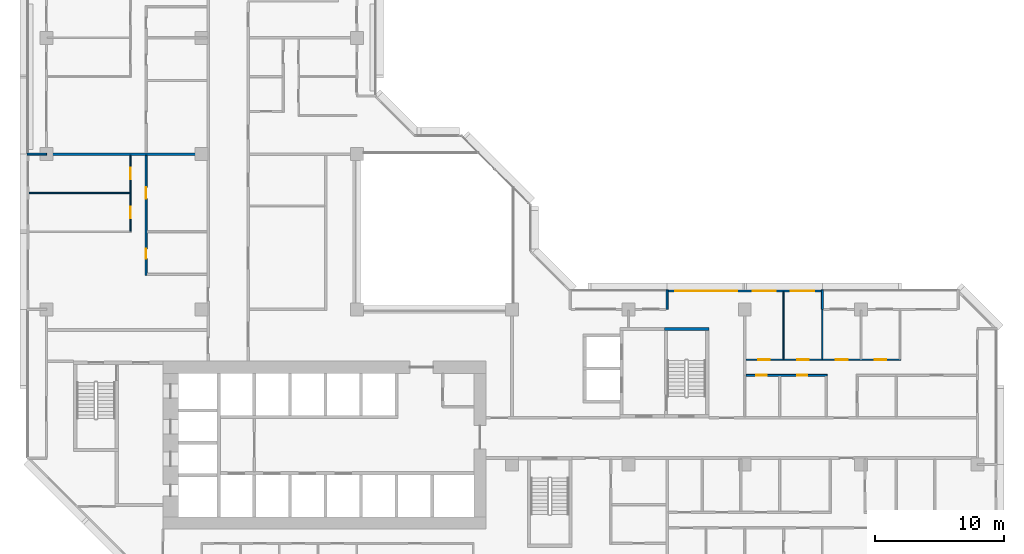
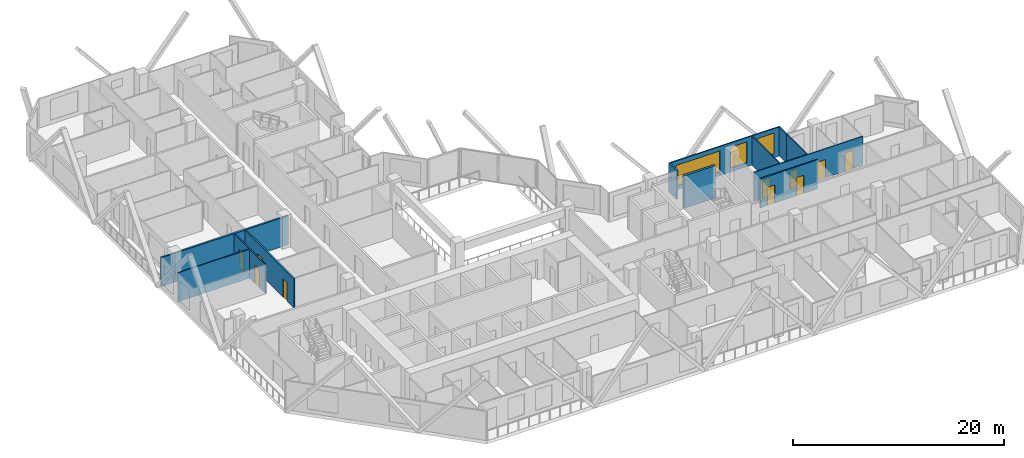
# One storey, part 8 of 15: 13 walls, 10 doors, 3 windows, 13 openings.
"""IFC4 building model written with IfcOpenShell, lengths in metres."""

from ifc_helpers import new_model, si_unit, direction, frame, frame_2d, origin, place, context, subcontext, project, spatial, rectangle, extrude, material, layer, layer_set, type_object, element, fill, save


model = new_model("IFC4")

# Units and contexts
model_context = context("Model", 3, precision=1e-05, world=origin(), true_north=direction((0.0, 1.0)))
body_context = subcontext(model_context, "Body", "Model", "MODEL_VIEW")
ifc_project = project(units=[si_unit("LENGTHUNIT", "METRE"), si_unit("AREAUNIT", "SQUARE_METRE"), si_unit("VOLUMEUNIT", "CUBIC_METRE"), si_unit("PLANEANGLEUNIT", "RADIAN"), si_unit("MASSUNIT", "GRAM", prefix="KILO")], contexts=[model_context])

# Site, building, storey
site_placement = place(None, origin())
site = spatial("IfcSite", under=ifc_project, at=site_placement, CompositionType="ELEMENT")
building_placement = place(site_placement, origin())
building = spatial("IfcBuilding", under=site, at=building_placement, Name="Chenar Terraces", CompositionType="ELEMENT")
storey_placement = place(building_placement, frame((0.0, 0.0, 114.39990234375)))
storey = spatial("IfcBuildingStorey", under=building, at=storey_placement, Name="L26", CompositionType="ELEMENT", Elevation=114.39990234375)

# Wall
ifc_material_1 = material(Name="Concrete C70/85", Category="concrete")
ifc_layer_1 = layer(ifc_material_1, 0.25)
ifc_layer_set_1 = layer_set([ifc_layer_1], Name="Concrete C70/85")
wall_type_1 = type_object("IfcWallType", Name="Core wall 250 Concrete C70/85", PredefinedType="SHEAR", material=ifc_layer_set_1)
wall_1_placement = place(storey_placement, frame((47.77490234375, 22.47509765625, 0.0), z_axis=(0.0, 0.0, 1.0), x_axis=(1.0, 0.0, 0.0)))
element("IfcWall", 1, at=wall_1_placement, inside=storey, type_object=wall_type_1, Name="Core wall ST3_N L26", PredefinedType="SHEAR", context=body_context, shape_type="SweptSolid", body=[
    extrude(rectangle(XDim=3.4501953125, YDim=0.25, at=frame_2d((1.72509765625, 0.0))), origin(), (0.0, 0.0, 1.0), 3.75),
])

# Wall, openings, windows
ifc_material_2 = material(Name="Aluminium framed glazing", Category="aluminium")
ifc_layer_2 = layer(ifc_material_2, 0.14990234375)
ifc_layer_set_2 = layer_set([ifc_layer_2], Name="Aluminium framed glazing")
wall_type_2 = type_object("IfcWallType", Name="Glazed flush facade wall 150", PredefinedType="SOLIDWALL", material=ifc_layer_set_2)
wall_2_placement = place(storey_placement, frame((59.925048828125, 25.425048828125, 0.0), z_axis=(0.0, 0.0, 1.0), x_axis=(-1.0, 0.0, 0.0)))
wall_2 = element("IfcWall", 2, at=wall_2_placement, inside=storey, type_object=wall_type_2, Name="Glazed flush facade wall", PredefinedType="SOLIDWALL", context=body_context, shape_type="SweptSolid", body=[
    extrude(rectangle(XDim=11.85009765625, YDim=0.14990234375, at=frame_2d((5.925048828125, 0.0))), origin(), (0.0, 0.0, 1.0), 3.35009765625),
])
opening_1_placement = place(wall_2_placement, frame((0.5625, 0.0, 0.449951171875)))
opening_1 = element("IfcOpeningElement", 3, at=opening_1_placement, cuts=wall_2, Name="Opening W180x240", PredefinedType="OPENING", context=body_context, shape_type="SweptSolid", body=[
    extrude(rectangle(XDim=1.800048828125, YDim=2.39990234375, at=frame_2d((0.89990234375, 1.199951171875))), frame((0.0, 0.0849609375, 0.0), z_axis=(0.0, -1.0, 0.0), x_axis=(1.0, 0.0, 0.0)), (0.0, 0.0, 1.0), 0.169921875),
])
opening_2_placement = place(wall_2_placement, frame((3.52490234375, 0.0, 0.449951171875)))
opening_2 = element("IfcOpeningElement", 4, at=opening_2_placement, cuts=wall_2, Name="Opening W180x240", PredefinedType="OPENING", context=body_context, shape_type="SweptSolid", body=[
    extrude(rectangle(XDim=1.800048828125, YDim=2.39990234375, at=frame_2d((0.89990234375, 1.199951171875))), frame((0.0, 0.0849609375, 0.0), z_axis=(0.0, -1.0, 0.0), x_axis=(1.0, 0.0, 0.0)), (0.0, 0.0, 1.0), 0.169921875),
])
opening_3_placement = place(wall_2_placement, frame((6.487548828125, 0.0, 0.449951171875)))
opening_3 = element("IfcOpeningElement", 5, at=opening_3_placement, cuts=wall_2, Name="Opening W480x240", PredefinedType="OPENING", context=body_context, shape_type="SweptSolid", body=[
    extrude(rectangle(XDim=4.800048828125, YDim=2.39990234375, at=frame_2d((2.39990234375, 1.199951171875))), frame((0.0, 0.0849609375, 0.0), z_axis=(0.0, -1.0, 0.0), x_axis=(1.0, 0.0, 0.0)), (0.0, 0.0, 1.0), 0.169921875),
])
ifc_material_3 = material(Name="Low emissivity double glazing, aluminium frame", Category="aluminium")
window_type_1 = type_object("IfcWindowType", Name="Fixed light 1800 x 2400", PartitioningType="SINGLE_PANEL", PredefinedType="WINDOW", material=ifc_material_3)
window_1_placement = place(opening_1_placement, origin())
window_1 = element("IfcWindow", 6, at=window_1_placement, inside=storey, type_object=window_type_1, Name="Window", OverallHeight=2.39990234375, OverallWidth=1.800048828125, PartitioningType="SINGLE_PANEL", PredefinedType="WINDOW", context=body_context, shape_type="SweptSolid", body=[
    extrude(rectangle(XDim=1.800048828125, YDim=2.39990234375, at=frame_2d((0.89990234375, 1.199951171875))), frame((0.0, 0.030029296875, 0.0), z_axis=(0.0, -1.0, 0.0), x_axis=(1.0, 0.0, 0.0)), (0.0, 0.0, 1.0), 0.06005859375),
])
fill(opening_1, window_1)
window_2_placement = place(opening_2_placement, origin())
window_2 = element("IfcWindow", 7, at=window_2_placement, inside=storey, type_object=window_type_1, Name="Window", OverallHeight=2.39990234375, OverallWidth=1.800048828125, PartitioningType="SINGLE_PANEL", PredefinedType="WINDOW", context=body_context, shape_type="SweptSolid", body=[
    extrude(rectangle(XDim=1.800048828125, YDim=2.39990234375, at=frame_2d((0.89990234375, 1.199951171875))), frame((0.0, 0.030029296875, 0.0), z_axis=(0.0, -1.0, 0.0), x_axis=(1.0, 0.0, 0.0)), (0.0, 0.0, 1.0), 0.06005859375),
])
fill(opening_2, window_2)
ifc_material_4 = material(Name="Low emissivity double glazing, aluminium frame", Category="aluminium")
window_type_2 = type_object("IfcWindowType", Name="Fixed light 4800 x 2400", PartitioningType="SINGLE_PANEL", PredefinedType="WINDOW", material=ifc_material_4)
window_3_placement = place(opening_3_placement, origin())
window_3 = element("IfcWindow", 8, at=window_3_placement, inside=storey, type_object=window_type_2, Name="Window", OverallHeight=2.39990234375, OverallWidth=4.800048828125, PartitioningType="SINGLE_PANEL", PredefinedType="WINDOW", context=body_context, shape_type="SweptSolid", body=[
    extrude(rectangle(XDim=4.800048828125, YDim=2.39990234375, at=frame_2d((2.39990234375, 1.199951171875))), frame((0.0, 0.030029296875, 0.0), z_axis=(0.0, -1.0, 0.0), x_axis=(1.0, 0.0, 0.0)), (0.0, 0.0, 1.0), 0.06005859375),
])
fill(opening_3, window_3)

# Wall
ifc_material_5 = material(Name="Gypsum board on steel studs", Category="steel")
ifc_layer_3 = layer(ifc_material_5, 0.10009765625)
ifc_layer_set_3 = layer_set([ifc_layer_3], Name="Gypsum board on steel studs")
wall_type_3 = type_object("IfcWallType", Name="Gypsum partition 100", PredefinedType="PARTITIONING", material=ifc_layer_set_3)
wall_3_placement = place(storey_placement, frame((-1.35107421875, 33.0, 0.0), z_axis=(0.0, 0.0, 1.0), x_axis=(1.0, 0.0, 0.0)))
element("IfcWall", 9, at=wall_3_placement, inside=storey, type_object=wall_type_3, Name="Partition L26-001", PredefinedType="PARTITIONING", context=body_context, shape_type="SweptSolid", body=[
    extrude(rectangle(XDim=7.801025390625, YDim=0.10009765625, at=frame_2d((3.900390625, 0.0))), origin(), (0.0, 0.0, 1.0), 3.35009765625),
])

# Wall, openings, doors
wall_4_placement = place(storey_placement, frame((6.5, 30.050048828125, 0.0), z_axis=(0.0, 0.0, 1.0), x_axis=(0.0, 1.0, 0.0)))
wall_4 = element("IfcWall", 10, at=wall_4_placement, inside=storey, type_object=wall_type_3, Name="Partition L26-014", PredefinedType="PARTITIONING", context=body_context, shape_type="SweptSolid", body=[
    extrude(rectangle(XDim=5.849853515625, YDim=0.10009765625, at=frame_2d((2.9248046875, 0.0))), origin(), (0.0, 0.0, 1.0), 3.35009765625),
])
opening_4_placement = place(wall_4_placement, frame((1.0, 0.0, 0.0)))
opening_4 = element("IfcOpeningElement", 11, at=opening_4_placement, cuts=wall_4, Name="Opening DL26-71", PredefinedType="OPENING", context=body_context, shape_type="SweptSolid", body=[
    extrude(rectangle(XDim=0.89990234375, YDim=2.10009765625, at=frame_2d((0.449951171875, 1.050048828125))), frame((0.0, 0.06005859375, 0.0), z_axis=(0.0, -1.0, 0.0), x_axis=(1.0, 0.0, 0.0)), (0.0, 0.0, 1.0), 0.1201171875),
])
opening_5_placement = place(wall_4_placement, frame((4.0, 0.0, 0.0)))
opening_5 = element("IfcOpeningElement", 12, at=opening_5_placement, cuts=wall_4, Name="Opening DL26-72", PredefinedType="OPENING", context=body_context, shape_type="SweptSolid", body=[
    extrude(rectangle(XDim=0.89990234375, YDim=2.10009765625, at=frame_2d((0.449951171875, 1.050048828125))), frame((0.0, 0.06005859375, 0.0), z_axis=(0.0, -1.0, 0.0), x_axis=(1.0, 0.0, 0.0)), (0.0, 0.0, 1.0), 0.1201171875),
])
ifc_material_6 = material(Name="Veneered timber door leaf", Category="wood")
door_type_1 = type_object("IfcDoorType", Name="Door 900 x 2100", OperationType="SINGLE_SWING_LEFT", PredefinedType="DOOR", material=ifc_material_6)
door_1_placement = place(opening_4_placement, origin())
door_1 = element("IfcDoor", 13, at=door_1_placement, inside=storey, type_object=door_type_1, Name="Door DL26-71", OperationType="SINGLE_SWING_RIGHT", OverallHeight=2.10009765625, OverallWidth=0.89990234375, PredefinedType="DOOR", context=body_context, shape_type="SweptSolid", body=[
    extrude(rectangle(XDim=0.89990234375, YDim=2.10009765625, at=frame_2d((0.449951171875, 1.050048828125))), frame((0.0, 0.02490234375, 0.0), z_axis=(0.0, -1.0, 0.0), x_axis=(1.0, 0.0, 0.0)), (0.0, 0.0, 1.0), 0.050048828125),
])
fill(opening_4, door_1)
door_2_placement = place(opening_5_placement, origin())
door_2 = element("IfcDoor", 14, at=door_2_placement, inside=storey, type_object=door_type_1, Name="Door DL26-72", OperationType="SINGLE_SWING_RIGHT", OverallHeight=2.10009765625, OverallWidth=0.89990234375, PredefinedType="DOOR", context=body_context, shape_type="SweptSolid", body=[
    extrude(rectangle(XDim=0.89990234375, YDim=2.10009765625, at=frame_2d((0.449951171875, 1.050048828125))), frame((0.0, 0.02490234375, 0.0), z_axis=(0.0, -1.0, 0.0), x_axis=(1.0, 0.0, 0.0)), (0.0, 0.0, 1.0), 0.050048828125),
])
fill(opening_5, door_2)

wall_5_placement = place(storey_placement, frame((54.10009765625, 20.10009765625, 0.0), z_axis=(0.0, 0.0, 1.0), x_axis=(1.0, 0.0, 0.0)))
wall_5 = element("IfcWall", 15, at=wall_5_placement, inside=storey, type_object=wall_type_3, Name="Partition L26-082", PredefinedType="PARTITIONING", context=body_context, shape_type="SweptSolid", body=[
    extrude(rectangle(XDim=11.949951171875, YDim=0.10009765625, at=frame_2d((5.97509765625, 0.0))), origin(), (0.0, 0.0, 1.0), 3.35009765625),
])
opening_6_placement = place(wall_5_placement, frame((0.949951171875, 0.0, 0.0)))
opening_6 = element("IfcOpeningElement", 16, at=opening_6_placement, cuts=wall_5, Name="Opening DL26-5", PredefinedType="OPENING", context=body_context, shape_type="SweptSolid", body=[
    extrude(rectangle(XDim=0.89990234375, YDim=2.10009765625, at=frame_2d((0.449951171875, 1.050048828125))), frame((0.0, 0.06005859375, 0.0), z_axis=(0.0, -1.0, 0.0), x_axis=(1.0, 0.0, 0.0)), (0.0, 0.0, 1.0), 0.1201171875),
])
opening_7_placement = place(wall_5_placement, frame((3.949951171875, 0.0, 0.0)))
opening_7 = element("IfcOpeningElement", 17, at=opening_7_placement, cuts=wall_5, Name="Opening DL26-6", PredefinedType="OPENING", context=body_context, shape_type="SweptSolid", body=[
    extrude(rectangle(XDim=0.89990234375, YDim=2.10009765625, at=frame_2d((0.449951171875, 1.050048828125))), frame((0.0, 0.06005859375, 0.0), z_axis=(0.0, -1.0, 0.0), x_axis=(1.0, 0.0, 0.0)), (0.0, 0.0, 1.0), 0.1201171875),
])
opening_8_placement = place(wall_5_placement, frame((6.949951171875, 0.0, 0.0)))
opening_8 = element("IfcOpeningElement", 18, at=opening_8_placement, cuts=wall_5, Name="Opening DL26-7", PredefinedType="OPENING", context=body_context, shape_type="SweptSolid", body=[
    extrude(rectangle(XDim=0.89990234375, YDim=2.10009765625, at=frame_2d((0.449951171875, 1.050048828125))), frame((0.0, 0.06005859375, 0.0), z_axis=(0.0, -1.0, 0.0), x_axis=(1.0, 0.0, 0.0)), (0.0, 0.0, 1.0), 0.1201171875),
])
opening_9_placement = place(wall_5_placement, frame((9.949951171875, 0.0, 0.0)))
opening_9 = element("IfcOpeningElement", 19, at=opening_9_placement, cuts=wall_5, Name="Opening DL26-11", PredefinedType="OPENING", context=body_context, shape_type="SweptSolid", body=[
    extrude(rectangle(XDim=0.89990234375, YDim=2.10009765625, at=frame_2d((0.449951171875, 1.050048828125))), frame((0.0, 0.06005859375, 0.0), z_axis=(0.0, -1.0, 0.0), x_axis=(1.0, 0.0, 0.0)), (0.0, 0.0, 1.0), 0.1201171875),
])
door_3_placement = place(opening_6_placement, origin())
door_3 = element("IfcDoor", 20, at=door_3_placement, inside=storey, type_object=door_type_1, Name="Door DL26-5", OperationType="SINGLE_SWING_RIGHT", OverallHeight=2.10009765625, OverallWidth=0.89990234375, PredefinedType="DOOR", context=body_context, shape_type="SweptSolid", body=[
    extrude(rectangle(XDim=0.89990234375, YDim=2.10009765625, at=frame_2d((0.449951171875, 1.050048828125))), frame((0.0, 0.02490234375, 0.0), z_axis=(0.0, -1.0, 0.0), x_axis=(1.0, 0.0, 0.0)), (0.0, 0.0, 1.0), 0.050048828125),
])
fill(opening_6, door_3)
door_4_placement = place(opening_7_placement, origin())
door_4 = element("IfcDoor", 21, at=door_4_placement, inside=storey, type_object=door_type_1, Name="Door DL26-6", OperationType="SINGLE_SWING_RIGHT", OverallHeight=2.10009765625, OverallWidth=0.89990234375, PredefinedType="DOOR", context=body_context, shape_type="SweptSolid", body=[
    extrude(rectangle(XDim=0.89990234375, YDim=2.10009765625, at=frame_2d((0.449951171875, 1.050048828125))), frame((0.0, 0.02490234375, 0.0), z_axis=(0.0, -1.0, 0.0), x_axis=(1.0, 0.0, 0.0)), (0.0, 0.0, 1.0), 0.050048828125),
])
fill(opening_7, door_4)
door_5_placement = place(opening_8_placement, origin())
door_5 = element("IfcDoor", 22, at=door_5_placement, inside=storey, type_object=door_type_1, Name="Door DL26-7", OperationType="SINGLE_SWING_RIGHT", OverallHeight=2.10009765625, OverallWidth=0.89990234375, PredefinedType="DOOR", context=body_context, shape_type="SweptSolid", body=[
    extrude(rectangle(XDim=0.89990234375, YDim=2.10009765625, at=frame_2d((0.449951171875, 1.050048828125))), frame((0.0, 0.02490234375, 0.0), z_axis=(0.0, -1.0, 0.0), x_axis=(1.0, 0.0, 0.0)), (0.0, 0.0, 1.0), 0.050048828125),
])
fill(opening_8, door_5)
door_6_placement = place(opening_9_placement, origin())
door_6 = element("IfcDoor", 23, at=door_6_placement, inside=storey, type_object=door_type_1, Name="Door DL26-11", OperationType="SINGLE_SWING_RIGHT", OverallHeight=2.10009765625, OverallWidth=0.89990234375, PredefinedType="DOOR", context=body_context, shape_type="SweptSolid", body=[
    extrude(rectangle(XDim=0.89990234375, YDim=2.10009765625, at=frame_2d((0.449951171875, 1.050048828125))), frame((0.0, 0.02490234375, 0.0), z_axis=(0.0, -1.0, 0.0), x_axis=(1.0, 0.0, 0.0)), (0.0, 0.0, 1.0), 0.050048828125),
])
fill(opening_9, door_6)

# Walls
wall_6_placement = place(storey_placement, frame((57.0, 20.14990234375, 0.0), z_axis=(0.0, 0.0, 1.0), x_axis=(0.0, 1.0, 0.0)))
element("IfcWall", 24, at=wall_6_placement, inside=storey, type_object=wall_type_3, Name="Partition L26-086", PredefinedType="PARTITIONING", context=body_context, shape_type="SweptSolid", body=[
    extrude(rectangle(XDim=5.201171875, YDim=0.10009765625, at=frame_2d((2.6005859375, 0.0))), origin(), (0.0, 0.0, 1.0), 3.35009765625),
])
wall_7_placement = place(storey_placement, frame((60.0, 20.14990234375, 0.0), z_axis=(0.0, 0.0, 1.0), x_axis=(0.0, 1.0, 0.0)))
element("IfcWall", 25, at=wall_7_placement, inside=storey, type_object=wall_type_3, Name="Partition L26-088", PredefinedType="PARTITIONING", context=body_context, shape_type="SweptSolid", body=[
    extrude(rectangle(XDim=3.85009765625, YDim=0.10009765625, at=frame_2d((1.925048828125, 0.0))), origin(), (0.0, 0.0, 1.0), 3.35009765625),
])
ifc_material_7 = material(Name="Terracotta cladding on insulated backing", Category="masonry")
ifc_layer_4 = layer(ifc_material_7, 0.14990234375)
ifc_layer_set_4 = layer_set([ifc_layer_4], Name="Terracotta cladding on insulated backing")
wall_type_4 = type_object("IfcWallType", Name="Loggia return wall 150", PredefinedType="SOLIDWALL", material=ifc_layer_set_4)
for number, where, z_axis, x_axis, name in (
    (26, (60.0, 25.5, 0.0), (0.0, 0.0, 1.0), (0.0, -1.0, 0.0), "Loggia return wall"),
    (27, (48.0, 25.5, 0.0), (0.0, 0.0, 1.0), (0.0, -1.0, 0.0), "Loggia return wall"),
    (28, (-1.5, 36.0, 0.0), (0.0, 0.0, 1.0), (1.0, 0.0, 0.0), "Loggia return wall"),
):
    element("IfcWall", number, at=place(storey_placement, frame(where, z_axis=z_axis, x_axis=x_axis)), inside=storey, type_object=wall_type_4, Name=name, PredefinedType="SOLIDWALL", context=body_context, shape_type="SweptSolid", body=[
        extrude(rectangle(XDim=1.5, YDim=0.14990234375, at=frame_2d((0.75, 0.0))), origin(), (0.0, 0.0, 1.0), 3.35009765625),
    ])
ifc_material_8 = material(Name="Twin gypsum board on steel studs with mineral wool", Category="steel")
ifc_layer_5 = layer(ifc_material_8, 0.199951171875)
ifc_layer_set_5 = layer_set([ifc_layer_5], Name="Twin gypsum board on steel studs with mineral wool")
wall_type_5 = type_object("IfcWallType", Name="Unit demising wall 200", PredefinedType="PARTITIONING", material=ifc_layer_set_5)
wall_8_placement = place(storey_placement, frame((0.0, 36.0, 0.0), z_axis=(0.0, 0.0, 1.0), x_axis=(1.0, 0.0, 0.0)))
element("IfcWall", 29, at=wall_8_placement, inside=storey, type_object=wall_type_5, Name="Partition L26-003", PredefinedType="PARTITIONING", context=body_context, shape_type="SweptSolid", body=[
    extrude(rectangle(XDim=12.39990234375, YDim=0.199951171875, at=frame_2d((6.199951171875, 0.0))), origin(), (0.0, 0.0, 1.0), 3.35009765625),
])

# Wall, openings, doors
ifc_material_9 = material(Name="Moisture-resistant gypsum board on steel studs", Category="steel")
ifc_layer_6 = layer(ifc_material_9, 0.14990234375)
ifc_layer_set_6 = layer_set([ifc_layer_6], Name="Moisture-resistant gypsum board on steel studs")
wall_type_6 = type_object("IfcWallType", Name="Wet-room partition 150", PredefinedType="PARTITIONING", material=ifc_layer_set_6)
wall_9_placement = place(storey_placement, frame((7.699951171875, 26.625, 0.0), z_axis=(0.0, 0.0, 1.0), x_axis=(0.0, 1.0, 0.0)))
wall_9 = element("IfcWall", 30, at=wall_9_placement, inside=storey, type_object=wall_type_6, Name="Partition L26-017", PredefinedType="PARTITIONING", context=body_context, shape_type="SweptSolid", body=[
    extrude(rectangle(XDim=9.27490234375, YDim=0.14990234375, at=frame_2d((4.637451171875, 0.0))), origin(), (0.0, 0.0, 1.0), 3.35009765625),
])
opening_10_placement = place(wall_9_placement, frame((1.27490234375, 0.0, 0.0)))
opening_10 = element("IfcOpeningElement", 31, at=opening_10_placement, cuts=wall_9, Name="Opening DL26-70", PredefinedType="OPENING", context=body_context, shape_type="SweptSolid", body=[
    extrude(rectangle(XDim=0.800048828125, YDim=2.10009765625, at=frame_2d((0.39990234375, 1.050048828125))), frame((0.0, 0.0849609375, 0.0), z_axis=(0.0, -1.0, 0.0), x_axis=(1.0, 0.0, 0.0)), (0.0, 0.0, 1.0), 0.169921875),
])
opening_11_placement = place(wall_9_placement, frame((5.925048828125, 0.0, 0.0)))
opening_11 = element("IfcOpeningElement", 32, at=opening_11_placement, cuts=wall_9, Name="Opening DL26-73", PredefinedType="OPENING", context=body_context, shape_type="SweptSolid", body=[
    extrude(rectangle(XDim=0.89990234375, YDim=2.10009765625, at=frame_2d((0.449951171875, 1.050048828125))), frame((0.0, 0.0849609375, 0.0), z_axis=(0.0, -1.0, 0.0), x_axis=(1.0, 0.0, 0.0)), (0.0, 0.0, 1.0), 0.169921875),
])
ifc_material_10 = material(Name="Veneered timber door leaf", Category="wood")
door_type_2 = type_object("IfcDoorType", Name="Door 800 x 2100", OperationType="SINGLE_SWING_LEFT", PredefinedType="DOOR", material=ifc_material_10)
door_7_placement = place(opening_10_placement, frame((0.800048828125, 0.0, 0.0), z_axis=(0.0, 0.0, 1.0), x_axis=(-1.0, 0.0, 0.0)))
door_7 = element("IfcDoor", 33, at=door_7_placement, inside=storey, type_object=door_type_2, Name="Door DL26-70", OperationType="SINGLE_SWING_RIGHT", OverallHeight=2.10009765625, OverallWidth=0.800048828125, PredefinedType="DOOR", context=body_context, shape_type="SweptSolid", body=[
    extrude(rectangle(XDim=0.800048828125, YDim=2.10009765625, at=frame_2d((0.39990234375, 1.050048828125))), frame((0.0, 0.02490234375, 0.0), z_axis=(0.0, -1.0, 0.0), x_axis=(1.0, 0.0, 0.0)), (0.0, 0.0, 1.0), 0.050048828125),
])
fill(opening_10, door_7)
door_8_placement = place(opening_11_placement, frame((0.89990234375, 0.0, 0.0), z_axis=(0.0, 0.0, 1.0), x_axis=(-1.0, 0.0, 0.0)))
door_8 = element("IfcDoor", 34, at=door_8_placement, inside=storey, type_object=door_type_1, Name="Door DL26-73", OperationType="SINGLE_SWING_RIGHT", OverallHeight=2.10009765625, OverallWidth=0.89990234375, PredefinedType="DOOR", context=body_context, shape_type="SweptSolid", body=[
    extrude(rectangle(XDim=0.89990234375, YDim=2.10009765625, at=frame_2d((0.449951171875, 1.050048828125))), frame((0.0, 0.02490234375, 0.0), z_axis=(0.0, -1.0, 0.0), x_axis=(1.0, 0.0, 0.0)), (0.0, 0.0, 1.0), 0.050048828125),
])
fill(opening_11, door_8)

wall_10_placement = place(storey_placement, frame((54.10009765625, 18.89990234375, 0.0), z_axis=(0.0, 0.0, 1.0), x_axis=(1.0, 0.0, 0.0)))
wall_10 = element("IfcWall", 35, at=wall_10_placement, inside=storey, type_object=wall_type_6, Name="Partition L26-081", PredefinedType="PARTITIONING", context=body_context, shape_type="SweptSolid", body=[
    extrude(rectangle(XDim=6.27490234375, YDim=0.14990234375, at=frame_2d((3.137451171875, 0.0))), origin(), (0.0, 0.0, 1.0), 3.35009765625),
])
opening_12_placement = place(wall_10_placement, frame((3.949951171875, 0.0, 0.0)))
opening_12 = element("IfcOpeningElement", 36, at=opening_12_placement, cuts=wall_10, Name="Opening DL26-4", PredefinedType="OPENING", context=body_context, shape_type="SweptSolid", body=[
    extrude(rectangle(XDim=0.800048828125, YDim=2.10009765625, at=frame_2d((0.39990234375, 1.050048828125))), frame((0.0, 0.0849609375, 0.0), z_axis=(0.0, -1.0, 0.0), x_axis=(1.0, 0.0, 0.0)), (0.0, 0.0, 1.0), 0.169921875),
])
opening_13_placement = place(wall_10_placement, frame((0.800048828125, 0.0, 0.0)))
opening_13 = element("IfcOpeningElement", 37, at=opening_13_placement, cuts=wall_10, Name="Opening DL26-9", PredefinedType="OPENING", context=body_context, shape_type="SweptSolid", body=[
    extrude(rectangle(XDim=0.800048828125, YDim=2.10009765625, at=frame_2d((0.39990234375, 1.050048828125))), frame((0.0, 0.0849609375, 0.0), z_axis=(0.0, -1.0, 0.0), x_axis=(1.0, 0.0, 0.0)), (0.0, 0.0, 1.0), 0.169921875),
])
door_9_placement = place(opening_12_placement, frame((0.800048828125, 0.0, 0.0), z_axis=(0.0, 0.0, 1.0), x_axis=(-1.0, 0.0, 0.0)))
door_9 = element("IfcDoor", 38, at=door_9_placement, inside=storey, type_object=door_type_2, Name="Door DL26-4", OperationType="SINGLE_SWING_RIGHT", OverallHeight=2.10009765625, OverallWidth=0.800048828125, PredefinedType="DOOR", context=body_context, shape_type="SweptSolid", body=[
    extrude(rectangle(XDim=0.800048828125, YDim=2.10009765625, at=frame_2d((0.39990234375, 1.050048828125))), frame((0.0, 0.02490234375, 0.0), z_axis=(0.0, -1.0, 0.0), x_axis=(1.0, 0.0, 0.0)), (0.0, 0.0, 1.0), 0.050048828125),
])
fill(opening_12, door_9)
door_10_placement = place(opening_13_placement, frame((0.800048828125, 0.0, 0.0), z_axis=(0.0, 0.0, 1.0), x_axis=(-1.0, 0.0, 0.0)))
door_10 = element("IfcDoor", 39, at=door_10_placement, inside=storey, type_object=door_type_2, Name="Door DL26-9", OperationType="SINGLE_SWING_RIGHT", OverallHeight=2.10009765625, OverallWidth=0.800048828125, PredefinedType="DOOR", context=body_context, shape_type="SweptSolid", body=[
    extrude(rectangle(XDim=0.800048828125, YDim=2.10009765625, at=frame_2d((0.39990234375, 1.050048828125))), frame((0.0, 0.02490234375, 0.0), z_axis=(0.0, -1.0, 0.0), x_axis=(1.0, 0.0, 0.0)), (0.0, 0.0, 1.0), 0.050048828125),
])
fill(opening_13, door_10)

save(model, "model.ifc")
